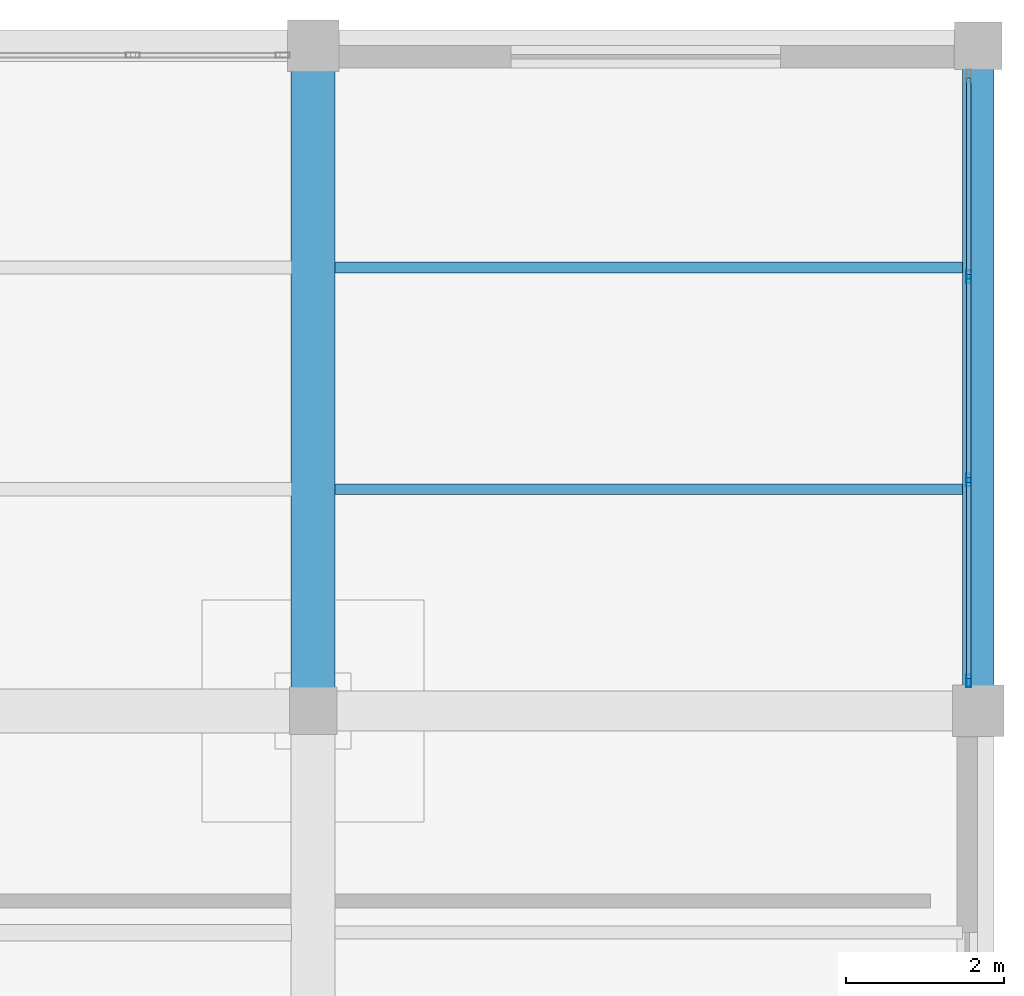
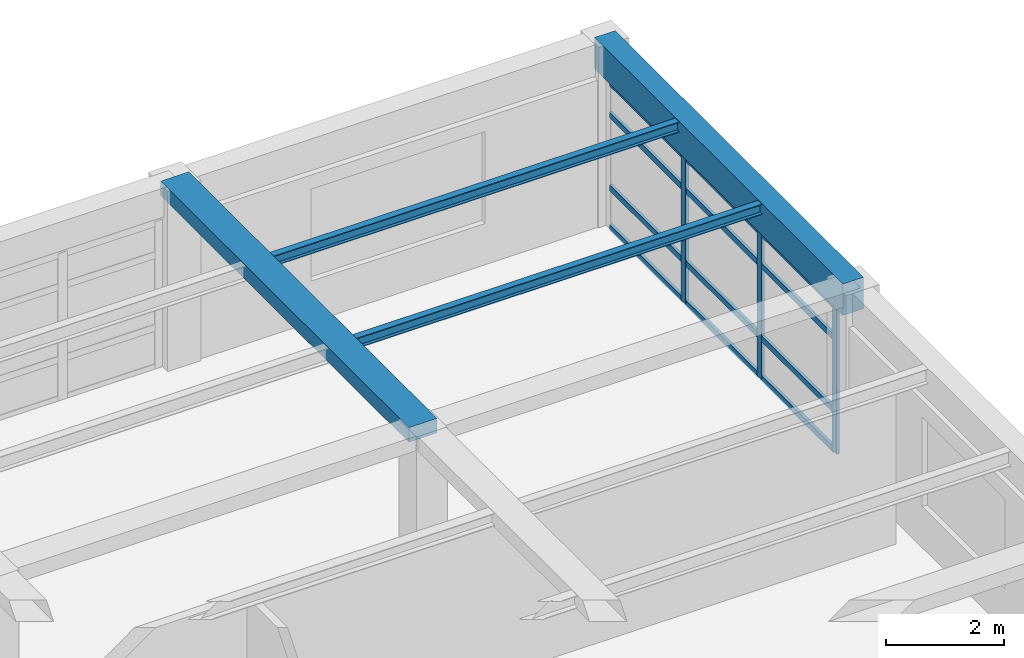
# One storey, part 15 of 25: 15 members, 4 beams, 1 element without a shape of its own.
"""IFC4 building model written with IfcOpenShell, lengths in metres."""

from ifc_helpers import new_model, si_unit, direction, frame, origin, origin_2d, place, context, subcontext, project, spatial, rectangle, hollow_rectangle, i_section, extrude, material, material_profile, profile_set, type_object, element, aggregate, save


model = new_model("IFC4")

# Units and contexts
model_context = context("Model", 3, precision=1e-05, world=origin(), true_north=direction((0.0, 1.0)))
body_context = subcontext(model_context, "Body", "Model", "MODEL_VIEW")
ifc_project = project(units=[si_unit("LENGTHUNIT", "METRE"), si_unit("AREAUNIT", "SQUARE_METRE"), si_unit("VOLUMEUNIT", "CUBIC_METRE"), si_unit("PLANEANGLEUNIT", "RADIAN"), si_unit("MASSUNIT", "GRAM", prefix="KILO")], contexts=[model_context])

# Site, building, storey
site_placement = place(None, origin())
site = spatial("IfcSite", under=ifc_project, at=site_placement, CompositionType="ELEMENT")
building_placement = place(site_placement, origin())
building = spatial("IfcBuilding", under=site, at=building_placement, Name="Almacenes y Pasaje Nevantli", CompositionType="ELEMENT")
storey_placement = place(building_placement, frame((0.0, 0.0, 50.699951171875)))
storey = spatial("IfcBuildingStorey", under=building, at=storey_placement, Name="L12", CompositionType="ELEMENT", Elevation=50.699951171875)

# Beams
ifc_material_1 = material(Name="Concrete C35/45", Category="concrete")
ifc_material_profile_1 = material_profile(ifc_material_1, rectangle(XDim=0.39990234375, YDim=0.64990234375, at=origin_2d()), Name="RC-BM-400x650")
ifc_profile_set_1 = profile_set([ifc_material_profile_1], Name="Concrete C35/45")
beam_type_1 = type_object("IfcBeamType", Name="BM-RC-400x650", PredefinedType="SPANDREL", material=ifc_profile_set_1)
beam_1_placement = place(storey_placement, frame((159.60009765625, 92.39990234375, 3.39501953125), z_axis=(0.0, 1.0, 0.0), x_axis=(-1.0, 0.0, 0.0)))
element("IfcBeam", 1, at=beam_1_placement, inside=storey, type_object=beam_type_1, Name="L12 North-South Reinforced Concrete Beam #3937", PredefinedType="SPANDREL", context=body_context, shape_type="SweptSolid", body=[
    extrude(rectangle(XDim=0.39990234375, YDim=0.64990234375, at=origin_2d()), origin(), (0.0, 0.0, 1.0), 8.400146484375),
])
ifc_material_2 = material(Name="Concrete C35/45", Category="concrete")
ifc_material_profile_2 = material_profile(ifc_material_2, rectangle(XDim=0.550048828125, YDim=0.300048828125, at=origin_2d()), Name="RC-BM-550x300")
ifc_profile_set_2 = profile_set([ifc_material_profile_2], Name="Concrete C35/45")
beam_type_2 = type_object("IfcBeamType", Name="BM-RC-550x300", PredefinedType="BEAM", material=ifc_profile_set_2)
beam_2_placement = place(storey_placement, frame((151.199951171875, 92.39990234375, 3.570068359375), z_axis=(0.0, 1.0, 0.0), x_axis=(-1.0, 0.0, 0.0)))
element("IfcBeam", 2, at=beam_2_placement, inside=storey, type_object=beam_type_2, Name="L12 North-South Reinforced Concrete Beam #3933", PredefinedType="BEAM", context=body_context, shape_type="SweptSolid", body=[
    extrude(rectangle(XDim=0.550048828125, YDim=0.300048828125, at=origin_2d()), origin(), (0.0, 0.0, 1.0), 8.400146484375),
])
ifc_material_3 = material(Name="Steel ASTM A992", Category="steel")
ifc_material_profile_3 = material_profile(ifc_material_3, i_section(OverallWidth=0.134033203125, OverallDepth=0.2099609375, WebThickness=0.00634765625, FlangeThickness=0.01025390625, at=origin_2d()), Name="IR 203x31.3")
ifc_profile_set_3 = profile_set([ifc_material_profile_3], Name="Steel ASTM A992")
beam_type_3 = type_object("IfcBeamType", Name="BM-STL-IR-203x31p3", PredefinedType="JOIST", material=ifc_profile_set_3)
for number, where, z_axis, x_axis, name in (
    (3, (151.47509765625, 95.199951171875, 3.60693359375), (1.0, 0.0, 0.0), (0.0, 1.0, 0.0), "L12 Secondary Steel Floor Joist #1565"),
    (4, (151.47509765625, 98.0, 3.60693359375), (1.0, 0.0, 0.0), (0.0, 1.0, 0.0), "L12 Secondary Steel Floor Joist #1566"),
):
    element("IfcBeam", number, at=place(storey_placement, frame(where, z_axis=z_axis, x_axis=x_axis)), inside=storey, type_object=beam_type_3, Name=name, PredefinedType="JOIST", context=body_context, shape_type="SweptSolid", body=[
        extrude(i_section(OverallWidth=0.134033203125, OverallDepth=0.2099609375, WebThickness=0.00634765625, FlangeThickness=0.01025390625, at=origin_2d()), origin(), (0.0, 0.0, 1.0), 7.9248046875),
    ])

# Curtain wall, members
ifc_material_4 = material(Name="Thermally Broken Aluminium and Low-E Glass", Category="aluminium")
curtain_wall_type = type_object("IfcCurtainWallType", Name="CW-UNIT-TOWER", PredefinedType="USERDEFINED", material=ifc_material_4)
curtain_wall_placement = place(storey_placement, origin())
curtain_wall = element("IfcCurtainWall", 5, at=curtain_wall_placement, inside=storey, type_object=curtain_wall_type, Name="L12 Tower East Curtain Wall Bay 12", ObjectType="UNITIZED CURTAIN WALL", PredefinedType="USERDEFINED")
ifc_material_5 = material(Name="Thermally Broken Anodized Aluminium", Category="aluminium")
ifc_material_profile_4 = material_profile(ifc_material_5, hollow_rectangle(XDim=0.06005859375, YDim=0.159912109375, WallThickness=0.00390625, at=origin_2d()), Name="ALU-MUL-60x160")
ifc_profile_set_4 = profile_set([ifc_material_profile_4], Name="Thermally Broken Anodized Aluminium")
member_type_1 = type_object("IfcMemberType", Name="CW-MUL-180", PredefinedType="MULLION", material=ifc_profile_set_4)
member_1_placement = place(storey_placement, frame((159.47998046875, 92.780029296875, 0.0), z_axis=(0.0, 0.0, 1.0), x_axis=(-1.0, 0.0, 0.0)))
member_1 = element("IfcMember", 6, at=member_1_placement, type_object=member_type_1, Name="CW-L12-167 mullion 1", PredefinedType="MULLION", context=body_context, shape_type="SweptSolid", body=[
    extrude(hollow_rectangle(XDim=0.06005859375, YDim=0.159912109375, WallThickness=0.00390625, at=origin_2d()), origin(), (0.0, 0.0, 1.0), 3.0400390625),
])
member_2_placement = place(storey_placement, frame((159.47998046875, 95.316650390625, 0.0), z_axis=(0.0, 0.0, 1.0), x_axis=(-1.0, 0.0, 0.0)))
member_2 = element("IfcMember", 7, at=member_2_placement, type_object=member_type_1, Name="CW-L12-167 mullion 2", PredefinedType="MULLION", context=body_context, shape_type="SweptSolid", body=[
    extrude(hollow_rectangle(XDim=0.06005859375, YDim=0.159912109375, WallThickness=0.00390625, at=origin_2d()), origin(), (0.0, 0.0, 1.0), 3.0400390625),
])
member_3_placement = place(storey_placement, frame((159.47998046875, 97.88330078125, 0.0), z_axis=(0.0, 0.0, 1.0), x_axis=(-1.0, 0.0, 0.0)))
member_3 = element("IfcMember", 8, at=member_3_placement, type_object=member_type_1, Name="CW-L12-167 mullion 3", PredefinedType="MULLION", context=body_context, shape_type="SweptSolid", body=[
    extrude(hollow_rectangle(XDim=0.06005859375, YDim=0.159912109375, WallThickness=0.00390625, at=origin_2d()), origin(), (0.0, 0.0, 1.0), 3.0400390625),
])
ifc_material_6 = material(Name="Thermally Broken Anodized Aluminium", Category="aluminium")
ifc_material_profile_5 = material_profile(ifc_material_6, hollow_rectangle(XDim=0.06005859375, YDim=0.1201171875, WallThickness=0.00341796875, at=origin_2d()), Name="ALU-TRN-60x120")
ifc_profile_set_5 = profile_set([ifc_material_profile_5], Name="Thermally Broken Anodized Aluminium")
member_type_2 = type_object("IfcMemberType", Name="CW-TRN-130", PredefinedType="USERDEFINED", material=ifc_profile_set_5)
member_4_placement = place(storey_placement, frame((159.47998046875, 92.81005859375, 0.030029296875), z_axis=(0.0, 1.0, 0.0), x_axis=(-1.0, 0.0, 0.0)))
member_4 = element("IfcMember", 9, at=member_4_placement, type_object=member_type_2, Name="CW-L12-167 transom 1.1", ObjectType="TRANSOM", PredefinedType="USERDEFINED", context=body_context, shape_type="SweptSolid", body=[
    extrude(hollow_rectangle(XDim=0.06005859375, YDim=0.1201171875, WallThickness=0.00341796875, at=origin_2d()), origin(), (0.0, 0.0, 1.0), 2.4765625),
])
member_5_placement = place(storey_placement, frame((159.47998046875, 92.81005859375, 0.85009765625), z_axis=(0.0, 1.0, 0.0), x_axis=(-1.0, 0.0, 0.0)))
member_5 = element("IfcMember", 10, at=member_5_placement, type_object=member_type_2, Name="CW-L12-167 transom 1.2", ObjectType="TRANSOM", PredefinedType="USERDEFINED", context=body_context, shape_type="SweptSolid", body=[
    extrude(hollow_rectangle(XDim=0.06005859375, YDim=0.1201171875, WallThickness=0.00341796875, at=origin_2d()), origin(), (0.0, 0.0, 1.0), 2.4765625),
])
member_6_placement = place(storey_placement, frame((159.47998046875, 92.81005859375, 2.35009765625), z_axis=(0.0, 1.0, 0.0), x_axis=(-1.0, 0.0, 0.0)))
member_6 = element("IfcMember", 11, at=member_6_placement, type_object=member_type_2, Name="CW-L12-167 transom 1.3", ObjectType="TRANSOM", PredefinedType="USERDEFINED", context=body_context, shape_type="SweptSolid", body=[
    extrude(hollow_rectangle(XDim=0.06005859375, YDim=0.1201171875, WallThickness=0.00341796875, at=origin_2d()), origin(), (0.0, 0.0, 1.0), 2.4765625),
])
member_7_placement = place(storey_placement, frame((159.47998046875, 92.81005859375, 3.010009765625), z_axis=(0.0, 1.0, 0.0), x_axis=(-1.0, 0.0, 0.0)))
member_7 = element("IfcMember", 12, at=member_7_placement, type_object=member_type_2, Name="CW-L12-167 transom 1.4", ObjectType="TRANSOM", PredefinedType="USERDEFINED", context=body_context, shape_type="SweptSolid", body=[
    extrude(hollow_rectangle(XDim=0.06005859375, YDim=0.1201171875, WallThickness=0.00341796875, at=origin_2d()), origin(), (0.0, 0.0, 1.0), 2.4765625),
])
member_8_placement = place(storey_placement, frame((159.47998046875, 95.3466796875, 0.030029296875), z_axis=(0.0, 1.0, 0.0), x_axis=(-1.0, 0.0, 0.0)))
member_8 = element("IfcMember", 13, at=member_8_placement, type_object=member_type_2, Name="CW-L12-167 transom 2.1", ObjectType="TRANSOM", PredefinedType="USERDEFINED", context=body_context, shape_type="SweptSolid", body=[
    extrude(hollow_rectangle(XDim=0.06005859375, YDim=0.1201171875, WallThickness=0.00341796875, at=origin_2d()), origin(), (0.0, 0.0, 1.0), 2.506591796875),
])
member_9_placement = place(storey_placement, frame((159.47998046875, 95.3466796875, 0.85009765625), z_axis=(0.0, 1.0, 0.0), x_axis=(-1.0, 0.0, 0.0)))
member_9 = element("IfcMember", 14, at=member_9_placement, type_object=member_type_2, Name="CW-L12-167 transom 2.2", ObjectType="TRANSOM", PredefinedType="USERDEFINED", context=body_context, shape_type="SweptSolid", body=[
    extrude(hollow_rectangle(XDim=0.06005859375, YDim=0.1201171875, WallThickness=0.00341796875, at=origin_2d()), origin(), (0.0, 0.0, 1.0), 2.506591796875),
])
member_10_placement = place(storey_placement, frame((159.47998046875, 95.3466796875, 2.35009765625), z_axis=(0.0, 1.0, 0.0), x_axis=(-1.0, 0.0, 0.0)))
member_10 = element("IfcMember", 15, at=member_10_placement, type_object=member_type_2, Name="CW-L12-167 transom 2.3", ObjectType="TRANSOM", PredefinedType="USERDEFINED", context=body_context, shape_type="SweptSolid", body=[
    extrude(hollow_rectangle(XDim=0.06005859375, YDim=0.1201171875, WallThickness=0.00341796875, at=origin_2d()), origin(), (0.0, 0.0, 1.0), 2.506591796875),
])
member_11_placement = place(storey_placement, frame((159.47998046875, 95.3466796875, 3.010009765625), z_axis=(0.0, 1.0, 0.0), x_axis=(-1.0, 0.0, 0.0)))
member_11 = element("IfcMember", 16, at=member_11_placement, type_object=member_type_2, Name="CW-L12-167 transom 2.4", ObjectType="TRANSOM", PredefinedType="USERDEFINED", context=body_context, shape_type="SweptSolid", body=[
    extrude(hollow_rectangle(XDim=0.06005859375, YDim=0.1201171875, WallThickness=0.00341796875, at=origin_2d()), origin(), (0.0, 0.0, 1.0), 2.506591796875),
])
member_12_placement = place(storey_placement, frame((159.47998046875, 97.913330078125, 0.030029296875), z_axis=(0.0, 1.0, 0.0), x_axis=(-1.0, 0.0, 0.0)))
member_12 = element("IfcMember", 17, at=member_12_placement, type_object=member_type_2, Name="CW-L12-167 transom 3.1", ObjectType="TRANSOM", PredefinedType="USERDEFINED", context=body_context, shape_type="SweptSolid", body=[
    extrude(hollow_rectangle(XDim=0.06005859375, YDim=0.1201171875, WallThickness=0.00341796875, at=origin_2d()), origin(), (0.0, 0.0, 1.0), 2.4765625),
])
member_13_placement = place(storey_placement, frame((159.47998046875, 97.913330078125, 0.85009765625), z_axis=(0.0, 1.0, 0.0), x_axis=(-1.0, 0.0, 0.0)))
member_13 = element("IfcMember", 18, at=member_13_placement, type_object=member_type_2, Name="CW-L12-167 transom 3.2", ObjectType="TRANSOM", PredefinedType="USERDEFINED", context=body_context, shape_type="SweptSolid", body=[
    extrude(hollow_rectangle(XDim=0.06005859375, YDim=0.1201171875, WallThickness=0.00341796875, at=origin_2d()), origin(), (0.0, 0.0, 1.0), 2.4765625),
])
member_14_placement = place(storey_placement, frame((159.47998046875, 97.913330078125, 2.35009765625), z_axis=(0.0, 1.0, 0.0), x_axis=(-1.0, 0.0, 0.0)))
member_14 = element("IfcMember", 19, at=member_14_placement, type_object=member_type_2, Name="CW-L12-167 transom 3.3", ObjectType="TRANSOM", PredefinedType="USERDEFINED", context=body_context, shape_type="SweptSolid", body=[
    extrude(hollow_rectangle(XDim=0.06005859375, YDim=0.1201171875, WallThickness=0.00341796875, at=origin_2d()), origin(), (0.0, 0.0, 1.0), 2.4765625),
])
member_15_placement = place(storey_placement, frame((159.47998046875, 97.913330078125, 3.010009765625), z_axis=(0.0, 1.0, 0.0), x_axis=(-1.0, 0.0, 0.0)))
member_15 = element("IfcMember", 20, at=member_15_placement, type_object=member_type_2, Name="CW-L12-167 transom 3.4", ObjectType="TRANSOM", PredefinedType="USERDEFINED", context=body_context, shape_type="SweptSolid", body=[
    extrude(hollow_rectangle(XDim=0.06005859375, YDim=0.1201171875, WallThickness=0.00341796875, at=origin_2d()), origin(), (0.0, 0.0, 1.0), 2.4765625),
])
aggregate(curtain_wall, [member_1, member_2, member_3, member_4, member_5, member_6, member_7, member_8, member_9, member_10, member_11, member_12, member_13, member_14, member_15])

save(model, "model.ifc")
